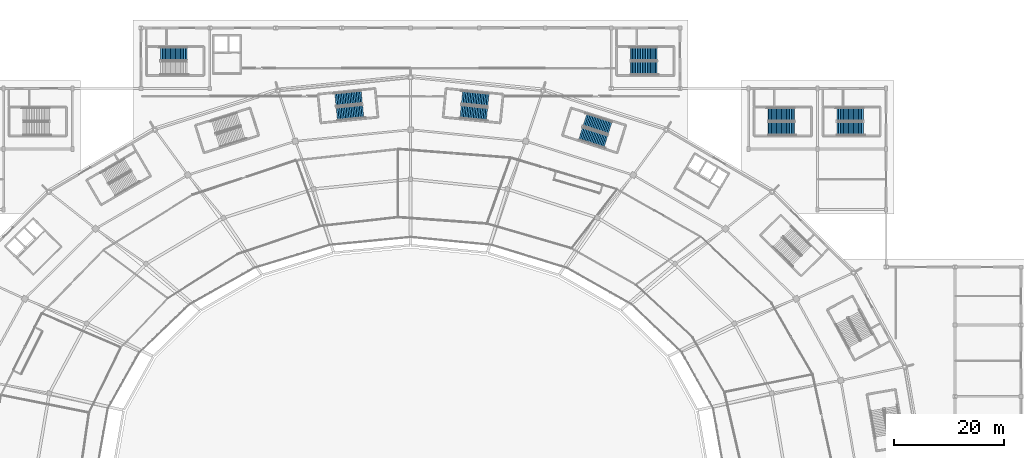
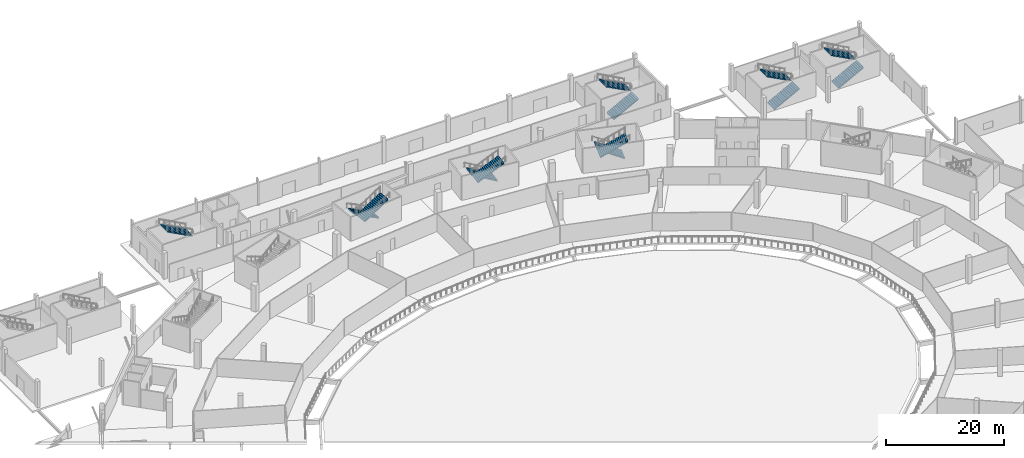
# One storey, part 57 of 82: 13 stair flights, 7 elements without a shape of their own.
"""IFC4 building model written with IfcOpenShell, lengths in metres."""

import ifcopenshell
import ifcopenshell.guid

model = None  # the IFC model being written
_history = None  # IfcOwnerHistory: only IFC2X3 demands one
_inside = {}  # id of a spatial element -> (the spatial element, [elements in it])
_under = {}  # id of a project, library or spatial element -> (it, [spatial elements below it])
_declared = {}  # id of a project -> (the project, [libraries it declares])
_typed = {}  # id of a type object -> (the type object, [elements of that type])
_made_of = {}  # id of a material, layer set ... -> (it, [elements and type objects made of it])


def new_model(schema):
    """Start an empty IFC model of exactly this schema.

    Asked for "IFC4X3", IfcOpenShell would pick the latest addendum, in which some entities
    have other attributes; the version numbers below select the first issue.
    IFC2X3 requires an IfcOwnerHistory on every rooted entity: one is made here for all.
    """
    global model, _history
    if schema == "IFC4X3":
        model = ifcopenshell.file(schema_version=(4, 3, 0, 0))
    else:
        model = ifcopenshell.file(schema=schema)
    _inside.clear()
    _under.clear()
    _declared.clear()
    _typed.clear()
    _made_of.clear()
    _history = None
    if model.schema == "IFC2X3":
        org = make("IfcOrganization", Name="unknown")
        user = make(
            "IfcPersonAndOrganization",
            ThePerson=make("IfcPerson", FamilyName="unknown"),
            TheOrganization=org,
        )
        app = make(
            "IfcApplication",
            ApplicationDeveloper=org,
            Version="unknown",
            ApplicationFullName="unknown",
            ApplicationIdentifier="unknown",
        )
        _history = make(
            "IfcOwnerHistory",
            OwningUser=user,
            OwningApplication=app,
            ChangeAction="ADDED",
            CreationDate=0,
        )
    return model


def make(cls, **values):
    """One entity of the class cls with the attributes given. An attribute that is None is left unset."""
    return model.create_entity(
        cls, **{name: value for name, value in values.items() if value is not None}
    )


def rooted(cls, **values):
    """An entity with a GlobalId (a new one), such as an element, a storey or a relation."""
    return make(cls, GlobalId=ifcopenshell.guid.new(), OwnerHistory=_history, **values)


def si_unit(unit_type, name, prefix=None):
    """IfcSIUnit, for example si_unit("LENGTHUNIT", "METRE", prefix="MILLI")."""
    return make("IfcSIUnit", UnitType=unit_type, Prefix=prefix, Name=name)


def assignment(units):
    """IfcUnitAssignment: the units of a project."""
    return None if units is None else make("IfcUnitAssignment", Units=units)


def point(xyz):
    """IfcCartesianPoint."""
    return None if xyz is None else make("IfcCartesianPoint", Coordinates=xyz)


def direction(xyz):
    """IfcDirection."""
    return None if xyz is None else make("IfcDirection", DirectionRatios=xyz)


def frame(location, z_axis=None, x_axis=None):
    """IfcAxis2Placement3D, a coordinate frame: its origin and axes. An axis left out is left unset."""
    return make(
        "IfcAxis2Placement3D",
        Location=point(location),
        Axis=direction(z_axis),
        RefDirection=direction(x_axis),
    )


def origin():
    """The frame at (0, 0, 0) with its axes left unset."""
    return frame((0.0, 0.0, 0.0))


def place(relative_to, where):
    """IfcLocalPlacement: puts the frame where relative to a parent placement (None: the world)."""
    return make(
        "IfcLocalPlacement", PlacementRelTo=relative_to, RelativePlacement=where
    )


def context(
    kind, dimensions, precision=None, world=None, true_north=None, identifier=None
):
    """IfcGeometricRepresentationContext, for example the 3D "Model" context."""
    return make(
        "IfcGeometricRepresentationContext",
        ContextIdentifier=identifier,
        ContextType=kind,
        CoordinateSpaceDimension=dimensions,
        Precision=precision,
        WorldCoordinateSystem=world,
        TrueNorth=true_north,
    )


def subcontext(parent, identifier, kind, view, scale=None):
    """IfcGeometricRepresentationSubContext, for example "Body" below "Model"."""
    return make(
        "IfcGeometricRepresentationSubContext",
        ContextIdentifier=identifier,
        ContextType=kind,
        ParentContext=parent,
        TargetScale=scale,
        TargetView=view,
    )


def project(units=None, contexts=None):
    """IfcProject with its units and contexts."""
    return rooted(
        "IfcProject",
        Name="project",
        RepresentationContexts=contexts,
        UnitsInContext=assignment(units),
    )


def spatial(cls, under=None, at=None, **own):
    """A site, building, storey or space (cls), placed at a placement, below another one or the project."""
    s = rooted(cls, ObjectPlacement=at, **own)
    if under is not None:
        _under.setdefault(under.id(), (under, []))[1].append(s)
    return s


def polyline(points):
    """IfcPolyline through the points."""
    return make("IfcPolyline", Points=[point(p) for p in points])


def outline(outer, holes=None, kind="AREA"):
    """IfcArbitraryClosedProfileDef: a profile drawn as a closed curve; with holes, ...WithVoids."""
    if holes is None:
        return make("IfcArbitraryClosedProfileDef", ProfileType=kind, OuterCurve=outer)
    return make(
        "IfcArbitraryProfileDefWithVoids",
        ProfileType=kind,
        OuterCurve=outer,
        InnerCurves=holes,
    )


def extrude(swept, where, along, depth):
    """IfcExtrudedAreaSolid: the profile swept, set in the frame where, extruded along a direction by depth."""
    return make(
        "IfcExtrudedAreaSolid",
        SweptArea=swept,
        Position=where,
        ExtrudedDirection=direction(along),
        Depth=depth,
    )


def shape(context_of_items, identifier, shape_type, items):
    """IfcShapeRepresentation: the items that make up one representation, for example the "Body"."""
    return make(
        "IfcShapeRepresentation",
        ContextOfItems=context_of_items,
        RepresentationIdentifier=identifier,
        RepresentationType=shape_type,
        Items=items,
    )


def material(Name=None, Category=None):
    """IfcMaterial."""
    return make("IfcMaterial", Name=Name, Category=Category)


def made_of(thing, what):
    """Note that an element or type object is made of a material, layer set ...; save() writes the relation."""
    if what is not None:
        _made_of.setdefault(what.id(), (what, []))[1].append(thing)
    return thing


def type_object(cls, material=None, **own):
    """A type object (cls), such as IfcWallType, which elements share."""
    return made_of(rooted(cls, **own), material)


def element(
    cls,
    number,
    at=None,
    inside=None,
    cuts=None,
    type_object=None,
    material=None,
    context=None,
    identifier="Body",
    shape_type=None,
    held_by="IfcProductDefinitionShape",
    body=None,
    shapes=None,
    **own,
):
    """One element of the class cls, such as IfcWall. Its Tag is "e" and its number.

    at: its placement. inside: the storey or other place that contains it. cuts: it is an
    opening in that element (IfcRelVoidsElement). A single representation is given by context,
    identifier, shape_type and body (its items); several are given by shapes. held_by: the class
    of the entity that holds the representations. save() writes the other relations.
    """
    e = rooted(cls, Tag="e%d" % number, ObjectPlacement=at, **own)
    if body is not None:
        shapes = [shape(context, identifier, shape_type, body)]
    if shapes is not None:
        e.Representation = make(held_by, Representations=shapes)
    if inside is not None:
        _inside.setdefault(inside.id(), (inside, []))[1].append(e)
    if cuts is not None:
        rooted(
            "IfcRelVoidsElement", RelatingBuildingElement=cuts, RelatedOpeningElement=e
        )
    if type_object is not None:
        _typed.setdefault(type_object.id(), (type_object, []))[1].append(e)
    return made_of(e, material)


def aggregate(whole, parts):
    """IfcRelAggregates: a whole, such as a stair, and the parts it consists of."""
    return rooted("IfcRelAggregates", RelatingObject=whole, RelatedObjects=parts)


def save(model, path):
    """Write the relations noted so far, then the file.

    IfcRelAggregates (storeys below a building ...), IfcRelContainedInSpatialStructure (elements
    in a storey), IfcRelDefinesByType, IfcRelAssociatesMaterial and IfcRelDeclares: one each for
    every whole, place, type object, material and project.
    """
    for whole, parts in _under.values():
        aggregate(whole, parts)
    for where, things in _inside.values():
        rooted(
            "IfcRelContainedInSpatialStructure",
            RelatedElements=things,
            RelatingStructure=where,
        )
    for kind, things in _typed.values():
        rooted("IfcRelDefinesByType", RelatedObjects=things, RelatingType=kind)
    for what, things in _made_of.values():
        rooted("IfcRelAssociatesMaterial", RelatedObjects=things, RelatingMaterial=what)
    for by, libraries in _declared.values():
        rooted("IfcRelDeclares", RelatingContext=by, RelatedDefinitions=libraries)
    model.write(path)


model = new_model("IFC4")

# Units and contexts
model_context = context("Model", 3, precision=1e-05, world=origin(), true_north=direction((0.0, 1.0)))
body_context = subcontext(model_context, "Body", "Model", "MODEL_VIEW")
ifc_project = project(units=[si_unit("LENGTHUNIT", "METRE"), si_unit("AREAUNIT", "SQUARE_METRE"), si_unit("VOLUMEUNIT", "CUBIC_METRE"), si_unit("PLANEANGLEUNIT", "RADIAN"), si_unit("MASSUNIT", "GRAM", prefix="KILO")], contexts=[model_context])

# Site, building, storey
site_placement = place(None, origin())
site = spatial("IfcSite", under=ifc_project, at=site_placement, CompositionType="ELEMENT")
building_placement = place(site_placement, origin())
building = spatial("IfcBuilding", under=site, at=building_placement, Name="Zlatoyarsky Gate Stadium", CompositionType="ELEMENT")
storey_placement = place(building_placement, origin())
storey = spatial("IfcBuildingStorey", under=building, at=storey_placement, Name="L00", CompositionType="ELEMENT", Elevation=0.0)

# Stair, stair flights
ifc_material = material(Name="Concrete C40/50", Category="concrete")
stair_type = type_object("IfcStairType", Name="CONCRETE DOGLEG EXIT STAIR H5400", PredefinedType="TWO_STRAIGHT_RUN_STAIR", material=ifc_material)
stair_1_placement = place(storey_placement, origin())
stair_1 = element("IfcStair", 1, at=stair_1_placement, inside=storey, type_object=stair_type, Name="L00 Exit Stair ST-03", PredefinedType="TWO_STRAIGHT_RUN_STAIR")
stair_flight_type = type_object("IfcStairFlightType", Name="CONCRETE STAIR FLIGHT 2400 H5400", PredefinedType="STRAIGHT", material=ifc_material)
stair_flight_1_placement = place(storey_placement, frame((147.29150390625, 141.820068359375, 0.0), z_axis=(0.0, 0.0, 1.0), x_axis=(-0.953463118711, 0.301509670257, 0.0)))
stair_flight_1 = element("IfcStairFlight", 2, at=stair_flight_1_placement, type_object=stair_flight_type, Name="ST-DG54 flight 1", NumberOfRisers=17, NumberOfTreads=16, PredefinedType="STRAIGHT", RiserHeight=0.158823529, TreadLength=0.3, context=body_context, shape_type="SweptSolid", body=[
    extrude(outline(polyline([(-0.006103515625, -0.180908203125), (-0.006103515625, 0.0), (0.0, 0.0), (0.0, 0.158935546875), (0.300048828125, 0.158935546875), (0.300048828125, 0.317626953125), (0.60009765625, 0.317626953125), (0.60009765625, 0.4765625), (0.89990234375, 0.4765625), (0.89990234375, 0.63525390625), (1.199951171875, 0.63525390625), (1.199951171875, 0.794189453125), (1.5, 0.794189453125), (1.5, 0.952880859375), (1.800048828125, 0.952880859375), (1.800048828125, 1.11181640625), (2.10009765625, 1.11181640625), (2.10009765625, 1.2705078125), (2.39990234375, 1.2705078125), (2.39990234375, 1.429443359375), (2.699951171875, 1.429443359375), (2.699951171875, 1.588134765625), (3.0, 1.588134765625), (3.0, 1.7470703125), (3.300048828125, 1.7470703125), (3.300048828125, 1.90576171875), (3.60009765625, 1.90576171875), (3.60009765625, 2.064697265625), (3.89990234375, 2.064697265625), (3.89990234375, 2.2236328125), (4.199951171875, 2.2236328125), (4.199951171875, 2.38232421875), (4.5, 2.38232421875), (4.5, 2.541259765625), (4.800048828125, 2.541259765625), (4.800048828125, 2.699951171875), (4.805908203125, 2.699951171875), (4.805908203125, 2.3603515625), (4.800048828125, 2.3603515625), (-0.006103515625, -0.180908203125)])), frame((0.0, 1.199951171875, 0.0), z_axis=(0.0, -1.0, 0.0), x_axis=(1.0, 0.0, 0.0)), (0.0, 0.0, 1.0), 2.39990234375),
])
stair_flight_2_placement = place(storey_placement, frame((141.930908203125, 140.788330078125, 2.699951171875), z_axis=(0.0, 0.0, 1.0), x_axis=(0.953463118711, -0.301509670257, 0.0)))
stair_flight_2 = element("IfcStairFlight", 3, at=stair_flight_2_placement, type_object=stair_flight_type, Name="ST-DG54 flight 2", NumberOfRisers=17, NumberOfTreads=16, PredefinedType="STRAIGHT", RiserHeight=0.158823529, TreadLength=0.3, context=body_context, shape_type="SweptSolid", body=[
    extrude(outline(polyline([(-0.006103515625, -0.180908203125), (-0.006103515625, 0.0), (0.0, 0.0), (0.0, 0.158935546875), (0.300048828125, 0.158935546875), (0.300048828125, 0.317626953125), (0.60009765625, 0.317626953125), (0.60009765625, 0.4765625), (0.89990234375, 0.4765625), (0.89990234375, 0.63525390625), (1.199951171875, 0.63525390625), (1.199951171875, 0.794189453125), (1.5, 0.794189453125), (1.5, 0.952880859375), (1.800048828125, 0.952880859375), (1.800048828125, 1.11181640625), (2.10009765625, 1.11181640625), (2.10009765625, 1.2705078125), (2.39990234375, 1.2705078125), (2.39990234375, 1.429443359375), (2.699951171875, 1.429443359375), (2.699951171875, 1.588134765625), (3.0, 1.588134765625), (3.0, 1.7470703125), (3.300048828125, 1.7470703125), (3.300048828125, 1.90576171875), (3.60009765625, 1.90576171875), (3.60009765625, 2.064697265625), (3.89990234375, 2.064697265625), (3.89990234375, 2.2236328125), (4.199951171875, 2.2236328125), (4.199951171875, 2.38232421875), (4.5, 2.38232421875), (4.5, 2.541259765625), (4.800048828125, 2.541259765625), (4.800048828125, 2.699951171875), (4.805908203125, 2.699951171875), (4.805908203125, 2.3603515625), (4.800048828125, 2.3603515625), (-0.006103515625, -0.180908203125)])), frame((0.0, 1.199951171875, 0.0), z_axis=(0.0, -1.0, 0.0), x_axis=(1.0, 0.0, 0.0)), (0.0, 0.0, 1.0), 2.39990234375),
])
aggregate(stair_1, [stair_flight_1, stair_flight_2])

stair_2_placement = place(storey_placement, origin())
stair_2 = element("IfcStair", 4, at=stair_2_placement, inside=storey, type_object=stair_type, Name="L00 Exit Stair ST-04", PredefinedType="TWO_STRAIGHT_RUN_STAIR")
stair_flight_3_placement = place(storey_placement, frame((102.123779296875, 147.4267578125, 0.0), z_axis=(0.0, 0.0, 1.0), x_axis=(-0.994986861964, -0.100005722426, 0.0)))
stair_flight_3 = element("IfcStairFlight", 5, at=stair_flight_3_placement, type_object=stair_flight_type, Name="ST-DG54 flight 1", NumberOfRisers=17, NumberOfTreads=16, PredefinedType="STRAIGHT", RiserHeight=0.158823529, TreadLength=0.3, context=body_context, shape_type="SweptSolid", body=[
    extrude(outline(polyline([(-0.006103515625, -0.180908203125), (-0.006103515625, 0.0), (0.0, 0.0), (0.0, 0.158935546875), (0.300048828125, 0.158935546875), (0.300048828125, 0.317626953125), (0.60009765625, 0.317626953125), (0.60009765625, 0.4765625), (0.89990234375, 0.4765625), (0.89990234375, 0.63525390625), (1.199951171875, 0.63525390625), (1.199951171875, 0.794189453125), (1.5, 0.794189453125), (1.5, 0.952880859375), (1.800048828125, 0.952880859375), (1.800048828125, 1.11181640625), (2.10009765625, 1.11181640625), (2.10009765625, 1.2705078125), (2.39990234375, 1.2705078125), (2.39990234375, 1.429443359375), (2.699951171875, 1.429443359375), (2.699951171875, 1.588134765625), (3.0, 1.588134765625), (3.0, 1.7470703125), (3.300048828125, 1.7470703125), (3.300048828125, 1.90576171875), (3.60009765625, 1.90576171875), (3.60009765625, 2.064697265625), (3.89990234375, 2.064697265625), (3.89990234375, 2.2236328125), (4.199951171875, 2.2236328125), (4.199951171875, 2.38232421875), (4.5, 2.38232421875), (4.5, 2.541259765625), (4.800048828125, 2.541259765625), (4.800048828125, 2.699951171875), (4.805908203125, 2.699951171875), (4.805908203125, 2.3603515625), (4.800048828125, 2.3603515625), (-0.006103515625, -0.180908203125)])), frame((0.0, 1.199951171875, 0.0), z_axis=(0.0, -1.0, 0.0), x_axis=(1.0, 0.0, 0.0)), (0.0, 0.0, 1.0), 2.39990234375),
])
stair_flight_4_placement = place(storey_placement, frame((97.60791015625, 144.35986328125, 2.699951171875), z_axis=(0.0, 0.0, 1.0), x_axis=(0.994986861964, 0.100005722426, 0.0)))
stair_flight_4 = element("IfcStairFlight", 6, at=stair_flight_4_placement, type_object=stair_flight_type, Name="ST-DG54 flight 2", NumberOfRisers=17, NumberOfTreads=16, PredefinedType="STRAIGHT", RiserHeight=0.158823529, TreadLength=0.3, context=body_context, shape_type="SweptSolid", body=[
    extrude(outline(polyline([(-0.006103515625, -0.180908203125), (-0.006103515625, 0.0), (0.0, 0.0), (0.0, 0.158935546875), (0.300048828125, 0.158935546875), (0.300048828125, 0.317626953125), (0.60009765625, 0.317626953125), (0.60009765625, 0.4765625), (0.89990234375, 0.4765625), (0.89990234375, 0.63525390625), (1.199951171875, 0.63525390625), (1.199951171875, 0.794189453125), (1.5, 0.794189453125), (1.5, 0.952880859375), (1.800048828125, 0.952880859375), (1.800048828125, 1.11181640625), (2.10009765625, 1.11181640625), (2.10009765625, 1.2705078125), (2.39990234375, 1.2705078125), (2.39990234375, 1.429443359375), (2.699951171875, 1.429443359375), (2.699951171875, 1.588134765625), (3.0, 1.588134765625), (3.0, 1.7470703125), (3.300048828125, 1.7470703125), (3.300048828125, 1.90576171875), (3.60009765625, 1.90576171875), (3.60009765625, 2.064697265625), (3.89990234375, 2.064697265625), (3.89990234375, 2.2236328125), (4.199951171875, 2.2236328125), (4.199951171875, 2.38232421875), (4.5, 2.38232421875), (4.5, 2.541259765625), (4.800048828125, 2.541259765625), (4.800048828125, 2.699951171875), (4.805908203125, 2.699951171875), (4.805908203125, 2.3603515625), (4.800048828125, 2.3603515625), (-0.006103515625, -0.180908203125)])), frame((0.0, 1.199951171875, 0.0), z_axis=(0.0, -1.0, 0.0), x_axis=(1.0, 0.0, 0.0)), (0.0, 0.0, 1.0), 2.39990234375),
])
aggregate(stair_2, [stair_flight_3, stair_flight_4])

stair_3_placement = place(storey_placement, origin())
stair_3 = element("IfcStair", 7, at=stair_3_placement, inside=storey, type_object=stair_type, Name="L00 Exit Stair ST-17", PredefinedType="TWO_STRAIGHT_RUN_STAIR")
stair_flight_5_placement = place(storey_placement, frame((125.149658203125, 146.896728515625, 0.0), z_axis=(0.0, 0.0, 1.0), x_axis=(-0.994986861964, 0.100005722426, 0.0)))
stair_flight_5 = element("IfcStairFlight", 8, at=stair_flight_5_placement, type_object=stair_flight_type, Name="ST-DG54 flight 1", NumberOfRisers=17, NumberOfTreads=16, PredefinedType="STRAIGHT", RiserHeight=0.158823529, TreadLength=0.3, context=body_context, shape_type="SweptSolid", body=[
    extrude(outline(polyline([(-0.006103515625, -0.180908203125), (-0.006103515625, 0.0), (0.0, 0.0), (0.0, 0.158935546875), (0.300048828125, 0.158935546875), (0.300048828125, 0.317626953125), (0.60009765625, 0.317626953125), (0.60009765625, 0.4765625), (0.89990234375, 0.4765625), (0.89990234375, 0.63525390625), (1.199951171875, 0.63525390625), (1.199951171875, 0.794189453125), (1.5, 0.794189453125), (1.5, 0.952880859375), (1.800048828125, 0.952880859375), (1.800048828125, 1.11181640625), (2.10009765625, 1.11181640625), (2.10009765625, 1.2705078125), (2.39990234375, 1.2705078125), (2.39990234375, 1.429443359375), (2.699951171875, 1.429443359375), (2.699951171875, 1.588134765625), (3.0, 1.588134765625), (3.0, 1.7470703125), (3.300048828125, 1.7470703125), (3.300048828125, 1.90576171875), (3.60009765625, 1.90576171875), (3.60009765625, 2.064697265625), (3.89990234375, 2.064697265625), (3.89990234375, 2.2236328125), (4.199951171875, 2.2236328125), (4.199951171875, 2.38232421875), (4.5, 2.38232421875), (4.5, 2.541259765625), (4.800048828125, 2.541259765625), (4.800048828125, 2.699951171875), (4.805908203125, 2.699951171875), (4.805908203125, 2.3603515625), (4.800048828125, 2.3603515625), (-0.006103515625, -0.180908203125)])), frame((0.0, 1.199951171875, 0.0), z_axis=(0.0, -1.0, 0.0), x_axis=(1.0, 0.0, 0.0)), (0.0, 0.0, 1.0), 2.39990234375),
])
stair_flight_6_placement = place(storey_placement, frame((120.113525390625, 144.789794921875, 2.699951171875), z_axis=(0.0, 0.0, 1.0), x_axis=(0.994986861964, -0.100005722426, 0.0)))
stair_flight_6 = element("IfcStairFlight", 9, at=stair_flight_6_placement, type_object=stair_flight_type, Name="ST-DG54 flight 2", NumberOfRisers=17, NumberOfTreads=16, PredefinedType="STRAIGHT", RiserHeight=0.158823529, TreadLength=0.3, context=body_context, shape_type="SweptSolid", body=[
    extrude(outline(polyline([(-0.006103515625, -0.180908203125), (-0.006103515625, 0.0), (0.0, 0.0), (0.0, 0.158935546875), (0.300048828125, 0.158935546875), (0.300048828125, 0.317626953125), (0.60009765625, 0.317626953125), (0.60009765625, 0.4765625), (0.89990234375, 0.4765625), (0.89990234375, 0.63525390625), (1.199951171875, 0.63525390625), (1.199951171875, 0.794189453125), (1.5, 0.794189453125), (1.5, 0.952880859375), (1.800048828125, 0.952880859375), (1.800048828125, 1.11181640625), (2.10009765625, 1.11181640625), (2.10009765625, 1.2705078125), (2.39990234375, 1.2705078125), (2.39990234375, 1.429443359375), (2.699951171875, 1.429443359375), (2.699951171875, 1.588134765625), (3.0, 1.588134765625), (3.0, 1.7470703125), (3.300048828125, 1.7470703125), (3.300048828125, 1.90576171875), (3.60009765625, 1.90576171875), (3.60009765625, 2.064697265625), (3.89990234375, 2.064697265625), (3.89990234375, 2.2236328125), (4.199951171875, 2.2236328125), (4.199951171875, 2.38232421875), (4.5, 2.38232421875), (4.5, 2.541259765625), (4.800048828125, 2.541259765625), (4.800048828125, 2.699951171875), (4.805908203125, 2.699951171875), (4.805908203125, 2.3603515625), (4.800048828125, 2.3603515625), (-0.006103515625, -0.180908203125)])), frame((0.0, 1.199951171875, 0.0), z_axis=(0.0, -1.0, 0.0), x_axis=(1.0, 0.0, 0.0)), (0.0, 0.0, 1.0), 2.39990234375),
])
aggregate(stair_3, [stair_flight_5, stair_flight_6])

stair_4_placement = place(storey_placement, origin())
stair_4 = element("IfcStair", 10, at=stair_4_placement, inside=storey, type_object=stair_type, Name="L00 Exit Stair ST-27", PredefinedType="TWO_STRAIGHT_RUN_STAIR")
stair_flight_7_placement = place(storey_placement, frame((176.050048828125, 141.699951171875, 0.0), z_axis=(0.0, 0.0, 1.0), x_axis=(1.0, 0.0, 0.0)))
stair_flight_7 = element("IfcStairFlight", 11, at=stair_flight_7_placement, type_object=stair_flight_type, Name="ST-DG54 flight 1", NumberOfRisers=17, NumberOfTreads=16, PredefinedType="STRAIGHT", RiserHeight=0.158823529, TreadLength=0.3, context=body_context, shape_type="SweptSolid", body=[
    extrude(outline(polyline([(-0.006103515625, -0.180908203125), (-0.006103515625, 0.0), (0.0, 0.0), (0.0, 0.158935546875), (0.300048828125, 0.158935546875), (0.300048828125, 0.317626953125), (0.60009765625, 0.317626953125), (0.60009765625, 0.4765625), (0.89990234375, 0.4765625), (0.89990234375, 0.63525390625), (1.199951171875, 0.63525390625), (1.199951171875, 0.794189453125), (1.5, 0.794189453125), (1.5, 0.952880859375), (1.800048828125, 0.952880859375), (1.800048828125, 1.11181640625), (2.10009765625, 1.11181640625), (2.10009765625, 1.2705078125), (2.39990234375, 1.2705078125), (2.39990234375, 1.429443359375), (2.699951171875, 1.429443359375), (2.699951171875, 1.588134765625), (3.0, 1.588134765625), (3.0, 1.7470703125), (3.300048828125, 1.7470703125), (3.300048828125, 1.90576171875), (3.60009765625, 1.90576171875), (3.60009765625, 2.064697265625), (3.89990234375, 2.064697265625), (3.89990234375, 2.2236328125), (4.199951171875, 2.2236328125), (4.199951171875, 2.38232421875), (4.5, 2.38232421875), (4.5, 2.541259765625), (4.800048828125, 2.541259765625), (4.800048828125, 2.699951171875), (4.805908203125, 2.699951171875), (4.805908203125, 2.3603515625), (4.800048828125, 2.3603515625), (-0.006103515625, -0.180908203125)])), frame((0.0, 1.199951171875, 0.0), z_axis=(0.0, -1.0, 0.0), x_axis=(1.0, 0.0, 0.0)), (0.0, 0.0, 1.0), 2.39990234375),
])
stair_flight_8_placement = place(storey_placement, frame((180.85009765625, 144.300048828125, 2.699951171875), z_axis=(0.0, 0.0, 1.0), x_axis=(-1.0, 0.0, 0.0)))
stair_flight_8 = element("IfcStairFlight", 12, at=stair_flight_8_placement, type_object=stair_flight_type, Name="ST-DG54 flight 2", NumberOfRisers=17, NumberOfTreads=16, PredefinedType="STRAIGHT", RiserHeight=0.158823529, TreadLength=0.3, context=body_context, shape_type="SweptSolid", body=[
    extrude(outline(polyline([(-0.006103515625, -0.180908203125), (-0.006103515625, 0.0), (0.0, 0.0), (0.0, 0.158935546875), (0.300048828125, 0.158935546875), (0.300048828125, 0.317626953125), (0.60009765625, 0.317626953125), (0.60009765625, 0.4765625), (0.89990234375, 0.4765625), (0.89990234375, 0.63525390625), (1.199951171875, 0.63525390625), (1.199951171875, 0.794189453125), (1.5, 0.794189453125), (1.5, 0.952880859375), (1.800048828125, 0.952880859375), (1.800048828125, 1.11181640625), (2.10009765625, 1.11181640625), (2.10009765625, 1.2705078125), (2.39990234375, 1.2705078125), (2.39990234375, 1.429443359375), (2.699951171875, 1.429443359375), (2.699951171875, 1.588134765625), (3.0, 1.588134765625), (3.0, 1.7470703125), (3.300048828125, 1.7470703125), (3.300048828125, 1.90576171875), (3.60009765625, 1.90576171875), (3.60009765625, 2.064697265625), (3.89990234375, 2.064697265625), (3.89990234375, 2.2236328125), (4.199951171875, 2.2236328125), (4.199951171875, 2.38232421875), (4.5, 2.38232421875), (4.5, 2.541259765625), (4.800048828125, 2.541259765625), (4.800048828125, 2.699951171875), (4.805908203125, 2.699951171875), (4.805908203125, 2.3603515625), (4.800048828125, 2.3603515625), (-0.006103515625, -0.180908203125)])), frame((0.0, 1.199951171875, 0.0), z_axis=(0.0, -1.0, 0.0), x_axis=(1.0, 0.0, 0.0)), (0.0, 0.0, 1.0), 2.39990234375),
])
aggregate(stair_4, [stair_flight_7, stair_flight_8])

stair_5_placement = place(storey_placement, origin())
stair_5 = element("IfcStair", 13, at=stair_5_placement, inside=storey, type_object=stair_type, Name="L00 Exit Stair ST-28", PredefinedType="TWO_STRAIGHT_RUN_STAIR")
stair_flight_9_placement = place(storey_placement, frame((188.550048828125, 141.699951171875, 0.0), z_axis=(0.0, 0.0, 1.0), x_axis=(1.0, 0.0, 0.0)))
stair_flight_9 = element("IfcStairFlight", 14, at=stair_flight_9_placement, type_object=stair_flight_type, Name="ST-DG54 flight 1", NumberOfRisers=17, NumberOfTreads=16, PredefinedType="STRAIGHT", RiserHeight=0.158823529, TreadLength=0.3, context=body_context, shape_type="SweptSolid", body=[
    extrude(outline(polyline([(-0.006103515625, -0.180908203125), (-0.006103515625, 0.0), (0.0, 0.0), (0.0, 0.158935546875), (0.300048828125, 0.158935546875), (0.300048828125, 0.317626953125), (0.60009765625, 0.317626953125), (0.60009765625, 0.4765625), (0.89990234375, 0.4765625), (0.89990234375, 0.63525390625), (1.199951171875, 0.63525390625), (1.199951171875, 0.794189453125), (1.5, 0.794189453125), (1.5, 0.952880859375), (1.800048828125, 0.952880859375), (1.800048828125, 1.11181640625), (2.10009765625, 1.11181640625), (2.10009765625, 1.2705078125), (2.39990234375, 1.2705078125), (2.39990234375, 1.429443359375), (2.699951171875, 1.429443359375), (2.699951171875, 1.588134765625), (3.0, 1.588134765625), (3.0, 1.7470703125), (3.300048828125, 1.7470703125), (3.300048828125, 1.90576171875), (3.60009765625, 1.90576171875), (3.60009765625, 2.064697265625), (3.89990234375, 2.064697265625), (3.89990234375, 2.2236328125), (4.199951171875, 2.2236328125), (4.199951171875, 2.38232421875), (4.5, 2.38232421875), (4.5, 2.541259765625), (4.800048828125, 2.541259765625), (4.800048828125, 2.699951171875), (4.805908203125, 2.699951171875), (4.805908203125, 2.3603515625), (4.800048828125, 2.3603515625), (-0.006103515625, -0.180908203125)])), frame((0.0, 1.199951171875, 0.0), z_axis=(0.0, -1.0, 0.0), x_axis=(1.0, 0.0, 0.0)), (0.0, 0.0, 1.0), 2.39990234375),
])
stair_flight_10_placement = place(storey_placement, frame((193.35009765625, 144.300048828125, 2.699951171875), z_axis=(0.0, 0.0, 1.0), x_axis=(-1.0, 0.0, 0.0)))
stair_flight_10 = element("IfcStairFlight", 15, at=stair_flight_10_placement, type_object=stair_flight_type, Name="ST-DG54 flight 2", NumberOfRisers=17, NumberOfTreads=16, PredefinedType="STRAIGHT", RiserHeight=0.158823529, TreadLength=0.3, context=body_context, shape_type="SweptSolid", body=[
    extrude(outline(polyline([(-0.006103515625, -0.180908203125), (-0.006103515625, 0.0), (0.0, 0.0), (0.0, 0.158935546875), (0.300048828125, 0.158935546875), (0.300048828125, 0.317626953125), (0.60009765625, 0.317626953125), (0.60009765625, 0.4765625), (0.89990234375, 0.4765625), (0.89990234375, 0.63525390625), (1.199951171875, 0.63525390625), (1.199951171875, 0.794189453125), (1.5, 0.794189453125), (1.5, 0.952880859375), (1.800048828125, 0.952880859375), (1.800048828125, 1.11181640625), (2.10009765625, 1.11181640625), (2.10009765625, 1.2705078125), (2.39990234375, 1.2705078125), (2.39990234375, 1.429443359375), (2.699951171875, 1.429443359375), (2.699951171875, 1.588134765625), (3.0, 1.588134765625), (3.0, 1.7470703125), (3.300048828125, 1.7470703125), (3.300048828125, 1.90576171875), (3.60009765625, 1.90576171875), (3.60009765625, 2.064697265625), (3.89990234375, 2.064697265625), (3.89990234375, 2.2236328125), (4.199951171875, 2.2236328125), (4.199951171875, 2.38232421875), (4.5, 2.38232421875), (4.5, 2.541259765625), (4.800048828125, 2.541259765625), (4.800048828125, 2.699951171875), (4.805908203125, 2.699951171875), (4.805908203125, 2.3603515625), (4.800048828125, 2.3603515625), (-0.006103515625, -0.180908203125)])), frame((0.0, 1.199951171875, 0.0), z_axis=(0.0, -1.0, 0.0), x_axis=(1.0, 0.0, 0.0)), (0.0, 0.0, 1.0), 2.39990234375),
])
aggregate(stair_5, [stair_flight_9, stair_flight_10])

# Stair, stair flight
stair_6_placement = place(storey_placement, origin())
stair_6 = element("IfcStair", 16, at=stair_6_placement, inside=storey, type_object=stair_type, Name="L00 Exit Stair ST-31", PredefinedType="TWO_STRAIGHT_RUN_STAIR")
stair_flight_11_placement = place(storey_placement, frame((70.35009765625, 155.300048828125, 2.699951171875), z_axis=(0.0, 0.0, 1.0), x_axis=(-1.0, 0.0, 0.0)))
stair_flight_11 = element("IfcStairFlight", 17, at=stair_flight_11_placement, type_object=stair_flight_type, Name="ST-DG54 flight 2", NumberOfRisers=17, NumberOfTreads=16, PredefinedType="STRAIGHT", RiserHeight=0.158823529, TreadLength=0.3, context=body_context, shape_type="SweptSolid", body=[
    extrude(outline(polyline([(-0.006103515625, -0.180908203125), (-0.006103515625, 0.0), (0.0, 0.0), (0.0, 0.158935546875), (0.300048828125, 0.158935546875), (0.300048828125, 0.317626953125), (0.60009765625, 0.317626953125), (0.60009765625, 0.4765625), (0.89990234375, 0.4765625), (0.89990234375, 0.63525390625), (1.199951171875, 0.63525390625), (1.199951171875, 0.794189453125), (1.5, 0.794189453125), (1.5, 0.952880859375), (1.800048828125, 0.952880859375), (1.800048828125, 1.11181640625), (2.10009765625, 1.11181640625), (2.10009765625, 1.2705078125), (2.39990234375, 1.2705078125), (2.39990234375, 1.429443359375), (2.699951171875, 1.429443359375), (2.699951171875, 1.588134765625), (3.0, 1.588134765625), (3.0, 1.7470703125), (3.300048828125, 1.7470703125), (3.300048828125, 1.90576171875), (3.60009765625, 1.90576171875), (3.60009765625, 2.064697265625), (3.89990234375, 2.064697265625), (3.89990234375, 2.2236328125), (4.199951171875, 2.2236328125), (4.199951171875, 2.38232421875), (4.5, 2.38232421875), (4.5, 2.541259765625), (4.800048828125, 2.541259765625), (4.800048828125, 2.699951171875), (4.805908203125, 2.699951171875), (4.805908203125, 2.3603515625), (4.800048828125, 2.3603515625), (-0.006103515625, -0.180908203125)])), frame((0.0, 1.199951171875, 0.0), z_axis=(0.0, -1.0, 0.0), x_axis=(1.0, 0.0, 0.0)), (0.0, 0.0, 1.0), 2.39990234375),
])
aggregate(stair_6, [stair_flight_11])

# Stair, stair flights
stair_7_placement = place(storey_placement, origin())
stair_7 = element("IfcStair", 18, at=stair_7_placement, inside=storey, type_object=stair_type, Name="L00 Exit Stair ST-32", PredefinedType="TWO_STRAIGHT_RUN_STAIR")
stair_flight_12_placement = place(storey_placement, frame((151.050048828125, 152.699951171875, 0.0), z_axis=(0.0, 0.0, 1.0), x_axis=(1.0, 0.0, 0.0)))
stair_flight_12 = element("IfcStairFlight", 19, at=stair_flight_12_placement, type_object=stair_flight_type, Name="ST-DG54 flight 1", NumberOfRisers=17, NumberOfTreads=16, PredefinedType="STRAIGHT", RiserHeight=0.158823529, TreadLength=0.3, context=body_context, shape_type="SweptSolid", body=[
    extrude(outline(polyline([(-0.006103515625, -0.180908203125), (-0.006103515625, 0.0), (0.0, 0.0), (0.0, 0.158935546875), (0.300048828125, 0.158935546875), (0.300048828125, 0.317626953125), (0.60009765625, 0.317626953125), (0.60009765625, 0.4765625), (0.89990234375, 0.4765625), (0.89990234375, 0.63525390625), (1.199951171875, 0.63525390625), (1.199951171875, 0.794189453125), (1.5, 0.794189453125), (1.5, 0.952880859375), (1.800048828125, 0.952880859375), (1.800048828125, 1.11181640625), (2.10009765625, 1.11181640625), (2.10009765625, 1.2705078125), (2.39990234375, 1.2705078125), (2.39990234375, 1.429443359375), (2.699951171875, 1.429443359375), (2.699951171875, 1.588134765625), (3.0, 1.588134765625), (3.0, 1.7470703125), (3.300048828125, 1.7470703125), (3.300048828125, 1.90576171875), (3.60009765625, 1.90576171875), (3.60009765625, 2.064697265625), (3.89990234375, 2.064697265625), (3.89990234375, 2.2236328125), (4.199951171875, 2.2236328125), (4.199951171875, 2.38232421875), (4.5, 2.38232421875), (4.5, 2.541259765625), (4.800048828125, 2.541259765625), (4.800048828125, 2.699951171875), (4.805908203125, 2.699951171875), (4.805908203125, 2.3603515625), (4.800048828125, 2.3603515625), (-0.006103515625, -0.180908203125)])), frame((0.0, 1.199951171875, 0.0), z_axis=(0.0, -1.0, 0.0), x_axis=(1.0, 0.0, 0.0)), (0.0, 0.0, 1.0), 2.39990234375),
])
stair_flight_13_placement = place(storey_placement, frame((155.85009765625, 155.300048828125, 2.699951171875), z_axis=(0.0, 0.0, 1.0), x_axis=(-1.0, 0.0, 0.0)))
stair_flight_13 = element("IfcStairFlight", 20, at=stair_flight_13_placement, type_object=stair_flight_type, Name="ST-DG54 flight 2", NumberOfRisers=17, NumberOfTreads=16, PredefinedType="STRAIGHT", RiserHeight=0.158823529, TreadLength=0.3, context=body_context, shape_type="SweptSolid", body=[
    extrude(outline(polyline([(-0.006103515625, -0.180908203125), (-0.006103515625, 0.0), (0.0, 0.0), (0.0, 0.158935546875), (0.300048828125, 0.158935546875), (0.300048828125, 0.317626953125), (0.60009765625, 0.317626953125), (0.60009765625, 0.4765625), (0.89990234375, 0.4765625), (0.89990234375, 0.63525390625), (1.199951171875, 0.63525390625), (1.199951171875, 0.794189453125), (1.5, 0.794189453125), (1.5, 0.952880859375), (1.800048828125, 0.952880859375), (1.800048828125, 1.11181640625), (2.10009765625, 1.11181640625), (2.10009765625, 1.2705078125), (2.39990234375, 1.2705078125), (2.39990234375, 1.429443359375), (2.699951171875, 1.429443359375), (2.699951171875, 1.588134765625), (3.0, 1.588134765625), (3.0, 1.7470703125), (3.300048828125, 1.7470703125), (3.300048828125, 1.90576171875), (3.60009765625, 1.90576171875), (3.60009765625, 2.064697265625), (3.89990234375, 2.064697265625), (3.89990234375, 2.2236328125), (4.199951171875, 2.2236328125), (4.199951171875, 2.38232421875), (4.5, 2.38232421875), (4.5, 2.541259765625), (4.800048828125, 2.541259765625), (4.800048828125, 2.699951171875), (4.805908203125, 2.699951171875), (4.805908203125, 2.3603515625), (4.800048828125, 2.3603515625), (-0.006103515625, -0.180908203125)])), frame((0.0, 1.199951171875, 0.0), z_axis=(0.0, -1.0, 0.0), x_axis=(1.0, 0.0, 0.0)), (0.0, 0.0, 1.0), 2.39990234375),
])
aggregate(stair_7, [stair_flight_12, stair_flight_13])

save(model, "model.ifc")
